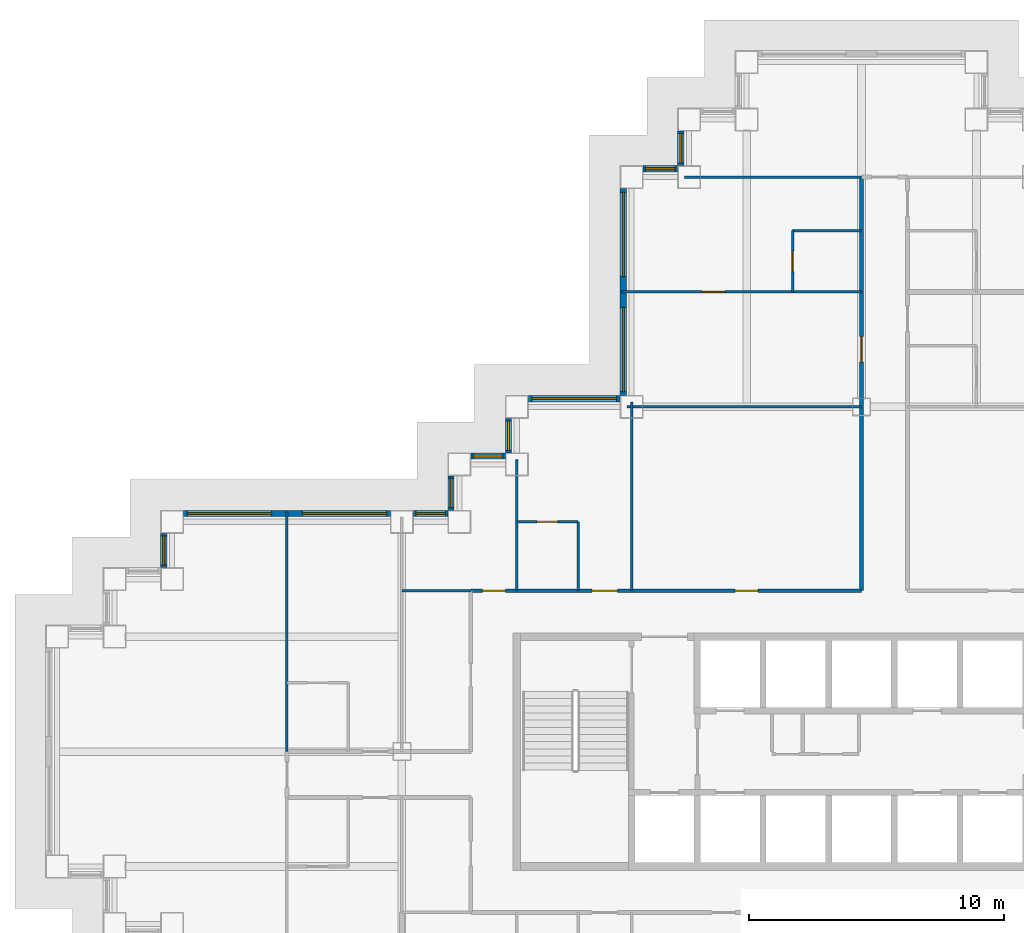
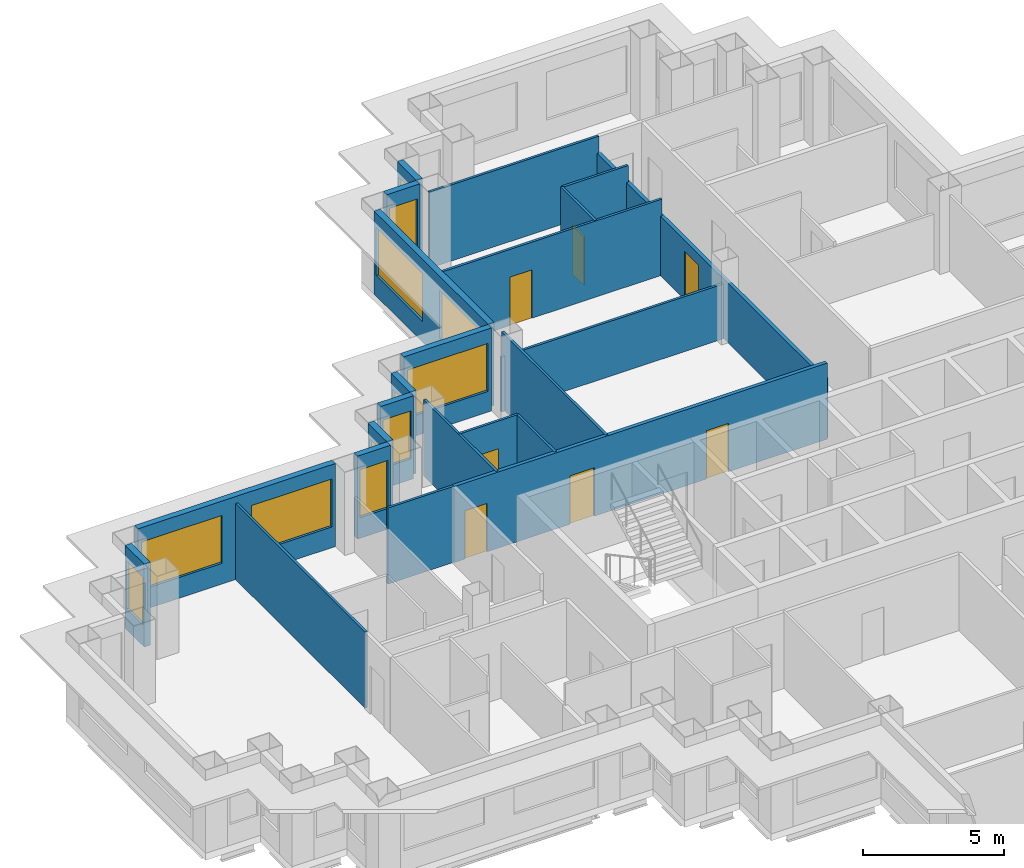
# One storey, part 7 of 14: 23 walls, 12 windows, 7 doors, 19 openings.
"""IFC4 building model written with IfcOpenShell, lengths in metres."""

from ifc_helpers import new_model, si_unit, direction, frame, frame_2d, origin, place, context, subcontext, project, spatial, rectangle, extrude, material, layer, layer_set, type_object, element, fill, save


model = new_model("IFC4")

# Units and contexts
model_context = context("Model", 3, precision=1e-05, world=origin(), true_north=direction((0.0, 1.0)))
body_context = subcontext(model_context, "Body", "Model", "MODEL_VIEW")
ifc_project = project(units=[si_unit("LENGTHUNIT", "METRE"), si_unit("AREAUNIT", "SQUARE_METRE"), si_unit("VOLUMEUNIT", "CUBIC_METRE"), si_unit("PLANEANGLEUNIT", "RADIAN"), si_unit("MASSUNIT", "GRAM", prefix="KILO")], contexts=[model_context])

# Site, building, storey
site_placement = place(None, origin())
site = spatial("IfcSite", under=ifc_project, at=site_placement, CompositionType="ELEMENT")
building_placement = place(site_placement, origin())
building = spatial("IfcBuilding", under=site, at=building_placement, Name="Caravel Reach Hotel and Residences", CompositionType="ELEMENT")
storey_placement = place(building_placement, frame((0.0, 0.0, 118.800048828125)))
storey = spatial("IfcBuildingStorey", under=building, at=storey_placement, Name="L29", CompositionType="ELEMENT", Elevation=118.800048828125)

# Wall, opening, door
ifc_material_1 = material(Name="Gypsum board on steel stud", Category="steel")
ifc_layer_1 = layer(ifc_material_1, 0.10009765625)
ifc_layer_set_1 = layer_set([ifc_layer_1], Name="Bathroom pod wall 100 mm")
wall_type_1 = type_object("IfcWallType", Name="Bathroom pod wall 100 mm", PredefinedType="PARTITIONING", material=ifc_layer_set_1)
wall_1_placement = place(storey_placement, frame((18.0, 36.0, 0.0), z_axis=(0.0, 0.0, 1.0), x_axis=(1.0, 0.0, 0.0)))
wall_1 = element("IfcWall", 1, at=wall_1_placement, inside=storey, type_object=wall_type_1, Name="L29 wall w075", PredefinedType="PARTITIONING", context=body_context, shape_type="SweptSolid", body=[
    extrude(rectangle(XDim=2.39990234375, YDim=0.10009765625, at=frame_2d((1.199951171875, 0.0))), origin(), (0.0, 0.0, 1.0), 3.300048828125),
])
opening_1_placement = place(wall_1_placement, frame((0.800048828125, 0.0, 0.0)))
opening_1 = element("IfcOpeningElement", 2, at=opening_1_placement, cuts=wall_1, Name="Opening D29-040", PredefinedType="OPENING", context=body_context, shape_type="SweptSolid", body=[
    extrude(rectangle(XDim=0.800048828125, YDim=2.10009765625, at=frame_2d((0.39990234375, 1.050048828125))), frame((0.0, 0.06005859375, 0.0), z_axis=(0.0, -1.0, 0.0), x_axis=(1.0, 0.0, 0.0)), (0.0, 0.0, 1.0), 0.1201171875),
])
ifc_material_2 = material(Name="Timber and steel door leaf", Category="steel")
door_type_1 = type_object("IfcDoorType", Name="Bathroom door 800 x 2100", OperationType="SINGLE_SWING_LEFT", PredefinedType="DOOR", material=ifc_material_2)
door_1_placement = place(opening_1_placement, origin())
door_1 = element("IfcDoor", 3, at=door_1_placement, inside=storey, type_object=door_type_1, Name="door D29-040", OperationType="SINGLE_SWING_LEFT", OverallHeight=2.10009765625, OverallWidth=0.800048828125, PredefinedType="DOOR", context=body_context, shape_type="SweptSolid", body=[
    extrude(rectangle(XDim=0.800048828125, YDim=2.10009765625, at=frame_2d((0.39990234375, 1.050048828125))), frame((0.0, 0.02490234375, 0.0), z_axis=(0.0, -1.0, 0.0), x_axis=(1.0, 0.0, 0.0)), (0.0, 0.0, 1.0), 0.050048828125),
])
fill(opening_1, door_1)

# Walls
for number, where, z_axis, x_axis, name in (
    (4, (28.800048828125, 47.39990234375, 0.0), (0.0, 0.0, 1.0), (1.0, 0.0, 0.0), "L29 wall w079"),
    (5, (20.39990234375, 33.300048828125, 0.0), (0.0, 0.0, 1.0), (0.0, 1.0, 0.0), "L29 wall w083"),
):
    element("IfcWall", number, at=place(storey_placement, frame(where, z_axis=z_axis, x_axis=x_axis)), inside=storey, type_object=wall_type_1, Name=name, PredefinedType="PARTITIONING", context=body_context, shape_type="SweptSolid", body=[
        extrude(rectangle(XDim=2.699951171875, YDim=0.10009765625, at=frame_2d((1.35009765625, 0.0))), origin(), (0.0, 0.0, 1.0), 3.300048828125),
    ])

# Wall, opening, door
wall_2_placement = place(storey_placement, frame((28.800048828125, 45.0, 0.0), z_axis=(0.0, 0.0, 1.0), x_axis=(0.0, 1.0, 0.0)))
wall_2 = element("IfcWall", 6, at=wall_2_placement, inside=storey, type_object=wall_type_1, Name="L29 wall w086", PredefinedType="PARTITIONING", context=body_context, shape_type="SweptSolid", body=[
    extrude(rectangle(XDim=2.39990234375, YDim=0.10009765625, at=frame_2d((1.199951171875, 0.0))), origin(), (0.0, 0.0, 1.0), 3.300048828125),
])
opening_2_placement = place(wall_2_placement, frame((0.800048828125, 0.0, 0.0)))
opening_2 = element("IfcOpeningElement", 7, at=opening_2_placement, cuts=wall_2, Name="Opening D29-026", PredefinedType="OPENING", context=body_context, shape_type="SweptSolid", body=[
    extrude(rectangle(XDim=0.800048828125, YDim=2.10009765625, at=frame_2d((0.39990234375, 1.050048828125))), frame((0.0, 0.06005859375, 0.0), z_axis=(0.0, -1.0, 0.0), x_axis=(1.0, 0.0, 0.0)), (0.0, 0.0, 1.0), 0.1201171875),
])
door_2_placement = place(opening_2_placement, origin())
door_2 = element("IfcDoor", 8, at=door_2_placement, inside=storey, type_object=door_type_1, Name="door D29-026", OperationType="SINGLE_SWING_LEFT", OverallHeight=2.10009765625, OverallWidth=0.800048828125, PredefinedType="DOOR", context=body_context, shape_type="SweptSolid", body=[
    extrude(rectangle(XDim=0.800048828125, YDim=2.10009765625, at=frame_2d((0.39990234375, 1.050048828125))), frame((0.0, 0.02490234375, 0.0), z_axis=(0.0, -1.0, 0.0), x_axis=(1.0, 0.0, 0.0)), (0.0, 0.0, 1.0), 0.050048828125),
])
fill(opening_2, door_2)

# Wall, openings, doors
ifc_material_3 = material(Name="Gypsum board on steel stud, fire-rated", Category="steel")
ifc_layer_2 = layer(ifc_material_3, 0.14990234375)
ifc_layer_set_2 = layer_set([ifc_layer_2], Name="Corridor wall 150 mm EI 60")
wall_type_2 = type_object("IfcWallType", Name="Corridor wall 150 mm EI 60", PredefinedType="PARTITIONING", material=ifc_layer_set_2)
wall_3_placement = place(storey_placement, frame((16.199951171875, 33.300048828125, 0.0), z_axis=(0.0, 0.0, 1.0), x_axis=(1.0, 0.0, 0.0)))
wall_3 = element("IfcWall", 9, at=wall_3_placement, inside=storey, type_object=wall_type_2, Name="L29 wall w018", PredefinedType="PARTITIONING", context=body_context, shape_type="SweptSolid", body=[
    extrude(rectangle(XDim=15.300048828125, YDim=0.14990234375, at=frame_2d((7.64990234375, 0.0))), origin(), (0.0, 0.0, 1.0), 3.300048828125),
])
opening_3_placement = place(wall_3_placement, frame((4.75, 0.0, 0.0)))
opening_3 = element("IfcOpeningElement", 10, at=opening_3_placement, cuts=wall_3, Name="Opening D29-039", PredefinedType="OPENING", context=body_context, shape_type="SweptSolid", body=[
    extrude(rectangle(XDim=1.0, YDim=2.10009765625, at=frame_2d((0.5, 1.050048828125))), frame((0.0, 0.0849609375, 0.0), z_axis=(0.0, -1.0, 0.0), x_axis=(1.0, 0.0, 0.0)), (0.0, 0.0, 1.0), 0.169921875),
])
opening_4_placement = place(wall_3_placement, frame((0.449951171875, 0.0, 0.0)))
opening_4 = element("IfcOpeningElement", 11, at=opening_4_placement, cuts=wall_3, Name="Opening D29-041", PredefinedType="OPENING", context=body_context, shape_type="SweptSolid", body=[
    extrude(rectangle(XDim=0.89990234375, YDim=2.10009765625, at=frame_2d((0.449951171875, 1.050048828125))), frame((0.0, 0.0849609375, 0.0), z_axis=(0.0, -1.0, 0.0), x_axis=(1.0, 0.0, 0.0)), (0.0, 0.0, 1.0), 0.169921875),
])
opening_5_placement = place(wall_3_placement, frame((10.35009765625, 0.0, 0.0)))
opening_5 = element("IfcOpeningElement", 12, at=opening_5_placement, cuts=wall_3, Name="Opening D29-050", PredefinedType="OPENING", context=body_context, shape_type="SweptSolid", body=[
    extrude(rectangle(XDim=0.89990234375, YDim=2.10009765625, at=frame_2d((0.449951171875, 1.050048828125))), frame((0.0, 0.0849609375, 0.0), z_axis=(0.0, -1.0, 0.0), x_axis=(1.0, 0.0, 0.0)), (0.0, 0.0, 1.0), 0.169921875),
])
ifc_material_4 = material(Name="Timber and steel door leaf", Category="steel")
door_type_2 = type_object("IfcDoorType", Name="Door 900 x 2100 timber", OperationType="SINGLE_SWING_LEFT", PredefinedType="DOOR", material=ifc_material_4)
door_3_placement = place(opening_4_placement, origin())
door_3 = element("IfcDoor", 13, at=door_3_placement, inside=storey, type_object=door_type_2, Name="door D29-041", OperationType="SINGLE_SWING_LEFT", OverallHeight=2.10009765625, OverallWidth=0.89990234375, PredefinedType="DOOR", context=body_context, shape_type="SweptSolid", body=[
    extrude(rectangle(XDim=0.89990234375, YDim=2.10009765625, at=frame_2d((0.449951171875, 1.050048828125))), frame((0.0, 0.02490234375, 0.0), z_axis=(0.0, -1.0, 0.0), x_axis=(1.0, 0.0, 0.0)), (0.0, 0.0, 1.0), 0.050048828125),
])
fill(opening_4, door_3)
door_4_placement = place(opening_5_placement, origin())
door_4 = element("IfcDoor", 14, at=door_4_placement, inside=storey, type_object=door_type_2, Name="door D29-050", OperationType="SINGLE_SWING_LEFT", OverallHeight=2.10009765625, OverallWidth=0.89990234375, PredefinedType="DOOR", context=body_context, shape_type="SweptSolid", body=[
    extrude(rectangle(XDim=0.89990234375, YDim=2.10009765625, at=frame_2d((0.449951171875, 1.050048828125))), frame((0.0, 0.02490234375, 0.0), z_axis=(0.0, -1.0, 0.0), x_axis=(1.0, 0.0, 0.0)), (0.0, 0.0, 1.0), 0.050048828125),
])
fill(opening_5, door_4)
ifc_material_5 = material(Name="Steel fire door leaf", Category="steel")
door_type_3 = type_object("IfcDoorType", Name="Guest room door 1000 x 2100 EI 30", OperationType="SINGLE_SWING_LEFT", PredefinedType="DOOR", material=ifc_material_5)
door_5_placement = place(opening_3_placement, origin())
door_5 = element("IfcDoor", 15, at=door_5_placement, inside=storey, type_object=door_type_3, Name="door D29-039", OperationType="SINGLE_SWING_RIGHT", OverallHeight=2.10009765625, OverallWidth=1.0, PredefinedType="DOOR", context=body_context, shape_type="SweptSolid", body=[
    extrude(rectangle(XDim=1.0, YDim=2.10009765625, at=frame_2d((0.5, 1.050048828125))), frame((0.0, 0.02490234375, 0.0), z_axis=(0.0, -1.0, 0.0), x_axis=(1.0, 0.0, 0.0)), (0.0, 0.0, 1.0), 0.050048828125),
])
fill(opening_3, door_5)

# Wall, opening, door
wall_4_placement = place(storey_placement, frame((31.5, 33.300048828125, 0.0), z_axis=(0.0, 0.0, 1.0), x_axis=(0.0, 1.0, 0.0)))
wall_4 = element("IfcWall", 16, at=wall_4_placement, inside=storey, type_object=wall_type_2, Name="L29 wall w026", PredefinedType="PARTITIONING", context=body_context, shape_type="SweptSolid", body=[
    extrude(rectangle(XDim=16.199951171875, YDim=0.14990234375, at=frame_2d((8.10009765625, 0.0))), origin(), (0.0, 0.0, 1.0), 2.579833984375),
])
opening_6_placement = place(wall_4_placement, frame((8.949951171875, 0.0, 0.0)))
opening_6 = element("IfcOpeningElement", 17, at=opening_6_placement, cuts=wall_4, Name="Opening D29-024", PredefinedType="OPENING", context=body_context, shape_type="SweptSolid", body=[
    extrude(rectangle(XDim=1.0, YDim=2.10009765625, at=frame_2d((0.5, 1.050048828125))), frame((0.0, 0.0849609375, 0.0), z_axis=(0.0, -1.0, 0.0), x_axis=(1.0, 0.0, 0.0)), (0.0, 0.0, 1.0), 0.169921875),
])
door_6_placement = place(opening_6_placement, origin())
door_6 = element("IfcDoor", 18, at=door_6_placement, inside=storey, type_object=door_type_3, Name="door D29-024", OperationType="SINGLE_SWING_LEFT", OverallHeight=2.10009765625, OverallWidth=1.0, PredefinedType="DOOR", context=body_context, shape_type="SweptSolid", body=[
    extrude(rectangle(XDim=1.0, YDim=2.10009765625, at=frame_2d((0.5, 1.050048828125))), frame((0.0, 0.02490234375, 0.0), z_axis=(0.0, -1.0, 0.0), x_axis=(1.0, 0.0, 0.0)), (0.0, 0.0, 1.0), 0.050048828125),
])
fill(opening_6, door_6)

# Wall, opening, window
ifc_material_6 = material(Name="Insulated rainscreen wall, aluminium cladding", Category="aluminium")
ifc_layer_3 = layer(ifc_material_6, 0.25)
ifc_layer_set_3 = layer_set([ifc_layer_3], Name="EW1 Tower rainscreen wall")
wall_type_3 = type_object("IfcWallType", Name="EW1 Tower rainscreen wall", PredefinedType="SOLIDWALL", material=ifc_layer_set_3)
wall_5_placement = place(storey_placement, frame((24.425048828125, 51.300048828125, 0.0), z_axis=(0.0, 0.0, 1.0), x_axis=(0.0, -1.0, 0.0)))
wall_5 = element("IfcWall", 19, at=wall_5_placement, inside=storey, type_object=wall_type_3, Name="External wall L29 W38.1", PredefinedType="SOLIDWALL", context=body_context, shape_type="SweptSolid", body=[
    extrude(rectangle(XDim=1.35009765625, YDim=0.25, at=frame_2d((0.675048828125, 0.0))), origin(), (0.0, 0.0, 1.0), 3.599853515625),
])
opening_7_placement = place(wall_5_placement, frame((0.10009765625, 0.0, 0.89990234375)))
opening_7 = element("IfcOpeningElement", 20, at=opening_7_placement, cuts=wall_5, Name="Opening WN8", PredefinedType="OPENING", context=body_context, shape_type="SweptSolid", body=[
    extrude(rectangle(XDim=1.14990234375, YDim=2.080078125, at=frame_2d((0.574951171875, 1.0400390625))), frame((0.0, 0.135009765625, 0.0), z_axis=(0.0, -1.0, 0.0), x_axis=(1.0, 0.0, 0.0)), (0.0, 0.0, 1.0), 0.27001953125),
])
ifc_material_7 = material(Name="Dark low-e glazing in black aluminium frame", Category="aluminium")
window_type_1 = type_object("IfcWindowType", Name="Hotel suite corner window 1150 x 2080", PartitioningType="SINGLE_PANEL", PredefinedType="WINDOW", material=ifc_material_7)
window_1_placement = place(opening_7_placement, origin())
window_1 = element("IfcWindow", 21, at=window_1_placement, inside=storey, type_object=window_type_1, Name="Window L29 W38.1.1", OverallHeight=2.080078125, OverallWidth=1.14990234375, PartitioningType="SINGLE_PANEL", PredefinedType="WINDOW", context=body_context, shape_type="SweptSolid", body=[
    extrude(rectangle(XDim=1.14990234375, YDim=2.080078125, at=frame_2d((0.574951171875, 1.0400390625))), frame((0.0, 0.030029296875, 0.0), z_axis=(0.0, -1.0, 0.0), x_axis=(1.0, 0.0, 0.0)), (0.0, 0.0, 1.0), 0.06005859375),
])
fill(opening_7, window_1)

wall_6_placement = place(storey_placement, frame((24.300048828125, 49.824951171875, 0.0), z_axis=(0.0, 0.0, 1.0), x_axis=(-1.0, 0.0, 0.0)))
wall_6 = element("IfcWall", 22, at=wall_6_placement, inside=storey, type_object=wall_type_3, Name="External wall L29 N39.1", PredefinedType="SOLIDWALL", context=body_context, shape_type="SweptSolid", body=[
    extrude(rectangle(XDim=1.35009765625, YDim=0.25, at=frame_2d((0.675048828125, 0.0))), origin(), (0.0, 0.0, 1.0), 3.599853515625),
])
opening_8_placement = place(wall_6_placement, frame((0.10009765625, 0.0, 0.89990234375)))
opening_8 = element("IfcOpeningElement", 23, at=opening_8_placement, cuts=wall_6, Name="Opening WN8", PredefinedType="OPENING", context=body_context, shape_type="SweptSolid", body=[
    extrude(rectangle(XDim=1.14990234375, YDim=2.080078125, at=frame_2d((0.574951171875, 1.0400390625))), frame((0.0, 0.135009765625, 0.0), z_axis=(0.0, -1.0, 0.0), x_axis=(1.0, 0.0, 0.0)), (0.0, 0.0, 1.0), 0.27001953125),
])
window_2_placement = place(opening_8_placement, origin())
window_2 = element("IfcWindow", 24, at=window_2_placement, inside=storey, type_object=window_type_1, Name="Window L29 N39.1.1", OverallHeight=2.080078125, OverallWidth=1.14990234375, PartitioningType="SINGLE_PANEL", PredefinedType="WINDOW", context=body_context, shape_type="SweptSolid", body=[
    extrude(rectangle(XDim=1.14990234375, YDim=2.080078125, at=frame_2d((0.574951171875, 1.0400390625))), frame((0.0, 0.030029296875, 0.0), z_axis=(0.0, -1.0, 0.0), x_axis=(1.0, 0.0, 0.0)), (0.0, 0.0, 1.0), 0.06005859375),
])
fill(opening_8, window_2)

# Wall, openings, windows
wall_7_placement = place(storey_placement, frame((22.175048828125, 49.050048828125, 0.0), z_axis=(0.0, 0.0, 1.0), x_axis=(0.0, -1.0, 0.0)))
wall_7 = element("IfcWall", 25, at=wall_7_placement, inside=storey, type_object=wall_type_3, Name="External wall L29 W40.1", PredefinedType="SOLIDWALL", context=body_context, shape_type="SweptSolid", body=[
    extrude(rectangle(XDim=8.10009765625, YDim=0.25, at=frame_2d((4.050048828125, 0.0))), origin(), (0.0, 0.0, 1.0), 3.599853515625),
])
opening_9_placement = place(wall_7_placement, frame((0.14990234375, 0.0, 0.89990234375)))
opening_9 = element("IfcOpeningElement", 26, at=opening_9_placement, cuts=wall_7, Name="Opening WN4", PredefinedType="OPENING", context=body_context, shape_type="SweptSolid", body=[
    extrude(rectangle(XDim=3.300048828125, YDim=2.080078125, at=frame_2d((1.64990234375, 1.0400390625))), frame((0.0, 0.135009765625, 0.0), z_axis=(0.0, -1.0, 0.0), x_axis=(1.0, 0.0, 0.0)), (0.0, 0.0, 1.0), 0.27001953125),
])
opening_10_placement = place(wall_7_placement, frame((4.64990234375, 0.0, 0.89990234375)))
opening_10 = element("IfcOpeningElement", 27, at=opening_10_placement, cuts=wall_7, Name="Opening WN4", PredefinedType="OPENING", context=body_context, shape_type="SweptSolid", body=[
    extrude(rectangle(XDim=3.300048828125, YDim=2.080078125, at=frame_2d((1.64990234375, 1.0400390625))), frame((0.0, 0.135009765625, 0.0), z_axis=(0.0, -1.0, 0.0), x_axis=(1.0, 0.0, 0.0)), (0.0, 0.0, 1.0), 0.27001953125),
])
ifc_material_8 = material(Name="Dark low-e glazing in black aluminium frame", Category="aluminium")
window_type_2 = type_object("IfcWindowType", Name="Hotel guest room window 3300 x 2080", PartitioningType="SINGLE_PANEL", PredefinedType="WINDOW", material=ifc_material_8)
window_3_placement = place(opening_9_placement, origin())
window_3 = element("IfcWindow", 28, at=window_3_placement, inside=storey, type_object=window_type_2, Name="Window L29 W40.1.1", OverallHeight=2.080078125, OverallWidth=3.300048828125, PartitioningType="SINGLE_PANEL", PredefinedType="WINDOW", context=body_context, shape_type="SweptSolid", body=[
    extrude(rectangle(XDim=3.300048828125, YDim=2.080078125, at=frame_2d((1.64990234375, 1.0400390625))), frame((0.0, 0.030029296875, 0.0), z_axis=(0.0, -1.0, 0.0), x_axis=(1.0, 0.0, 0.0)), (0.0, 0.0, 1.0), 0.06005859375),
])
fill(opening_9, window_3)
window_4_placement = place(opening_10_placement, origin())
window_4 = element("IfcWindow", 29, at=window_4_placement, inside=storey, type_object=window_type_2, Name="Window L29 W40.1.2", OverallHeight=2.080078125, OverallWidth=3.300048828125, PartitioningType="SINGLE_PANEL", PredefinedType="WINDOW", context=body_context, shape_type="SweptSolid", body=[
    extrude(rectangle(XDim=3.300048828125, YDim=2.080078125, at=frame_2d((1.64990234375, 1.0400390625))), frame((0.0, 0.030029296875, 0.0), z_axis=(0.0, -1.0, 0.0), x_axis=(1.0, 0.0, 0.0)), (0.0, 0.0, 1.0), 0.06005859375),
])
fill(opening_10, window_4)

# Wall, opening, window
wall_8_placement = place(storey_placement, frame((22.050048828125, 40.824951171875, 0.0), z_axis=(0.0, 0.0, 1.0), x_axis=(-1.0, 0.0, 0.0)))
wall_8 = element("IfcWall", 30, at=wall_8_placement, inside=storey, type_object=wall_type_3, Name="External wall L29 N41.1", PredefinedType="SOLIDWALL", context=body_context, shape_type="SweptSolid", body=[
    extrude(rectangle(XDim=3.60009765625, YDim=0.25, at=frame_2d((1.800048828125, 0.0))), origin(), (0.0, 0.0, 1.0), 3.599853515625),
])
opening_11_placement = place(wall_8_placement, frame((0.14990234375, 0.0, 0.89990234375)))
opening_11 = element("IfcOpeningElement", 31, at=opening_11_placement, cuts=wall_8, Name="Opening WN4", PredefinedType="OPENING", context=body_context, shape_type="SweptSolid", body=[
    extrude(rectangle(XDim=3.300048828125, YDim=2.080078125, at=frame_2d((1.64990234375, 1.0400390625))), frame((0.0, 0.135009765625, 0.0), z_axis=(0.0, -1.0, 0.0), x_axis=(1.0, 0.0, 0.0)), (0.0, 0.0, 1.0), 0.27001953125),
])
window_5_placement = place(opening_11_placement, origin())
window_5 = element("IfcWindow", 32, at=window_5_placement, inside=storey, type_object=window_type_2, Name="Window L29 N41.1.1", OverallHeight=2.080078125, OverallWidth=3.300048828125, PartitioningType="SINGLE_PANEL", PredefinedType="WINDOW", context=body_context, shape_type="SweptSolid", body=[
    extrude(rectangle(XDim=3.300048828125, YDim=2.080078125, at=frame_2d((1.64990234375, 1.0400390625))), frame((0.0, 0.030029296875, 0.0), z_axis=(0.0, -1.0, 0.0), x_axis=(1.0, 0.0, 0.0)), (0.0, 0.0, 1.0), 0.06005859375),
])
fill(opening_11, window_5)

wall_9_placement = place(storey_placement, frame((17.675048828125, 40.050048828125, 0.0), z_axis=(0.0, 0.0, 1.0), x_axis=(0.0, -1.0, 0.0)))
wall_9 = element("IfcWall", 33, at=wall_9_placement, inside=storey, type_object=wall_type_3, Name="External wall L29 W42.1", PredefinedType="SOLIDWALL", context=body_context, shape_type="SweptSolid", body=[
    extrude(rectangle(XDim=1.35009765625, YDim=0.25, at=frame_2d((0.675048828125, 0.0))), origin(), (0.0, 0.0, 1.0), 3.599853515625),
])
opening_12_placement = place(wall_9_placement, frame((0.10009765625, 0.0, 0.89990234375)))
opening_12 = element("IfcOpeningElement", 34, at=opening_12_placement, cuts=wall_9, Name="Opening WN8", PredefinedType="OPENING", context=body_context, shape_type="SweptSolid", body=[
    extrude(rectangle(XDim=1.14990234375, YDim=2.080078125, at=frame_2d((0.574951171875, 1.0400390625))), frame((0.0, 0.135009765625, 0.0), z_axis=(0.0, -1.0, 0.0), x_axis=(1.0, 0.0, 0.0)), (0.0, 0.0, 1.0), 0.27001953125),
])
window_6_placement = place(opening_12_placement, origin())
window_6 = element("IfcWindow", 35, at=window_6_placement, inside=storey, type_object=window_type_1, Name="Window L29 W42.1.1", OverallHeight=2.080078125, OverallWidth=1.14990234375, PartitioningType="SINGLE_PANEL", PredefinedType="WINDOW", context=body_context, shape_type="SweptSolid", body=[
    extrude(rectangle(XDim=1.14990234375, YDim=2.080078125, at=frame_2d((0.574951171875, 1.0400390625))), frame((0.0, 0.030029296875, 0.0), z_axis=(0.0, -1.0, 0.0), x_axis=(1.0, 0.0, 0.0)), (0.0, 0.0, 1.0), 0.06005859375),
])
fill(opening_12, window_6)

wall_10_placement = place(storey_placement, frame((17.550048828125, 38.574951171875, 0.0), z_axis=(0.0, 0.0, 1.0), x_axis=(-1.0, 0.0, 0.0)))
wall_10 = element("IfcWall", 36, at=wall_10_placement, inside=storey, type_object=wall_type_3, Name="External wall L29 N43.1", PredefinedType="SOLIDWALL", context=body_context, shape_type="SweptSolid", body=[
    extrude(rectangle(XDim=1.35009765625, YDim=0.25, at=frame_2d((0.675048828125, 0.0))), origin(), (0.0, 0.0, 1.0), 3.599853515625),
])
opening_13_placement = place(wall_10_placement, frame((0.10009765625, 0.0, 0.89990234375)))
opening_13 = element("IfcOpeningElement", 37, at=opening_13_placement, cuts=wall_10, Name="Opening WN8", PredefinedType="OPENING", context=body_context, shape_type="SweptSolid", body=[
    extrude(rectangle(XDim=1.14990234375, YDim=2.080078125, at=frame_2d((0.574951171875, 1.0400390625))), frame((0.0, 0.135009765625, 0.0), z_axis=(0.0, -1.0, 0.0), x_axis=(1.0, 0.0, 0.0)), (0.0, 0.0, 1.0), 0.27001953125),
])
window_7_placement = place(opening_13_placement, origin())
window_7 = element("IfcWindow", 38, at=window_7_placement, inside=storey, type_object=window_type_1, Name="Window L29 N43.1.1", OverallHeight=2.080078125, OverallWidth=1.14990234375, PartitioningType="SINGLE_PANEL", PredefinedType="WINDOW", context=body_context, shape_type="SweptSolid", body=[
    extrude(rectangle(XDim=1.14990234375, YDim=2.080078125, at=frame_2d((0.574951171875, 1.0400390625))), frame((0.0, 0.030029296875, 0.0), z_axis=(0.0, -1.0, 0.0), x_axis=(1.0, 0.0, 0.0)), (0.0, 0.0, 1.0), 0.06005859375),
])
fill(opening_13, window_7)

wall_11_placement = place(storey_placement, frame((15.425048828125, 37.800048828125, 0.0), z_axis=(0.0, 0.0, 1.0), x_axis=(0.0, -1.0, 0.0)))
wall_11 = element("IfcWall", 39, at=wall_11_placement, inside=storey, type_object=wall_type_3, Name="External wall L29 W44.1", PredefinedType="SOLIDWALL", context=body_context, shape_type="SweptSolid", body=[
    extrude(rectangle(XDim=1.35009765625, YDim=0.25, at=frame_2d((0.675048828125, 0.0))), origin(), (0.0, 0.0, 1.0), 3.599853515625),
])
opening_14_placement = place(wall_11_placement, frame((0.10009765625, 0.0, 0.89990234375)))
opening_14 = element("IfcOpeningElement", 40, at=opening_14_placement, cuts=wall_11, Name="Opening WN8", PredefinedType="OPENING", context=body_context, shape_type="SweptSolid", body=[
    extrude(rectangle(XDim=1.14990234375, YDim=2.080078125, at=frame_2d((0.574951171875, 1.0400390625))), frame((0.0, 0.135009765625, 0.0), z_axis=(0.0, -1.0, 0.0), x_axis=(1.0, 0.0, 0.0)), (0.0, 0.0, 1.0), 0.27001953125),
])
window_8_placement = place(opening_14_placement, origin())
window_8 = element("IfcWindow", 41, at=window_8_placement, inside=storey, type_object=window_type_1, Name="Window L29 W44.1.1", OverallHeight=2.080078125, OverallWidth=1.14990234375, PartitioningType="SINGLE_PANEL", PredefinedType="WINDOW", context=body_context, shape_type="SweptSolid", body=[
    extrude(rectangle(XDim=1.14990234375, YDim=2.080078125, at=frame_2d((0.574951171875, 1.0400390625))), frame((0.0, 0.030029296875, 0.0), z_axis=(0.0, -1.0, 0.0), x_axis=(1.0, 0.0, 0.0)), (0.0, 0.0, 1.0), 0.06005859375),
])
fill(opening_14, window_8)

wall_12_placement = place(storey_placement, frame((15.300048828125, 36.324951171875, 0.0), z_axis=(0.0, 0.0, 1.0), x_axis=(-1.0, 0.0, 0.0)))
wall_12 = element("IfcWall", 42, at=wall_12_placement, inside=storey, type_object=wall_type_3, Name="External wall L29 N45.1", PredefinedType="SOLIDWALL", context=body_context, shape_type="SweptSolid", body=[
    extrude(rectangle(XDim=1.35009765625, YDim=0.25, at=frame_2d((0.675048828125, 0.0))), origin(), (0.0, 0.0, 1.0), 3.599853515625),
])
opening_15_placement = place(wall_12_placement, frame((0.10009765625, 0.0, 0.89990234375)))
opening_15 = element("IfcOpeningElement", 43, at=opening_15_placement, cuts=wall_12, Name="Opening WN8", PredefinedType="OPENING", context=body_context, shape_type="SweptSolid", body=[
    extrude(rectangle(XDim=1.14990234375, YDim=2.080078125, at=frame_2d((0.574951171875, 1.0400390625))), frame((0.0, 0.135009765625, 0.0), z_axis=(0.0, -1.0, 0.0), x_axis=(1.0, 0.0, 0.0)), (0.0, 0.0, 1.0), 0.27001953125),
])
window_9_placement = place(opening_15_placement, origin())
window_9 = element("IfcWindow", 44, at=window_9_placement, inside=storey, type_object=window_type_1, Name="Window L29 N45.1.1", OverallHeight=2.080078125, OverallWidth=1.14990234375, PartitioningType="SINGLE_PANEL", PredefinedType="WINDOW", context=body_context, shape_type="SweptSolid", body=[
    extrude(rectangle(XDim=1.14990234375, YDim=2.080078125, at=frame_2d((0.574951171875, 1.0400390625))), frame((0.0, 0.030029296875, 0.0), z_axis=(0.0, -1.0, 0.0), x_axis=(1.0, 0.0, 0.0)), (0.0, 0.0, 1.0), 0.06005859375),
])
fill(opening_15, window_9)

# Wall, openings, windows
wall_13_placement = place(storey_placement, frame((13.050048828125, 36.324951171875, 0.0), z_axis=(0.0, 0.0, 1.0), x_axis=(-1.0, 0.0, 0.0)))
wall_13 = element("IfcWall", 45, at=wall_13_placement, inside=storey, type_object=wall_type_3, Name="External wall L29 N45.2", PredefinedType="SOLIDWALL", context=body_context, shape_type="SweptSolid", body=[
    extrude(rectangle(XDim=8.10009765625, YDim=0.25, at=frame_2d((4.050048828125, 0.0))), origin(), (0.0, 0.0, 1.0), 3.599853515625),
])
opening_16_placement = place(wall_13_placement, frame((0.14990234375, 0.0, 0.89990234375)))
opening_16 = element("IfcOpeningElement", 46, at=opening_16_placement, cuts=wall_13, Name="Opening WN4", PredefinedType="OPENING", context=body_context, shape_type="SweptSolid", body=[
    extrude(rectangle(XDim=3.300048828125, YDim=2.080078125, at=frame_2d((1.64990234375, 1.0400390625))), frame((0.0, 0.135009765625, 0.0), z_axis=(0.0, -1.0, 0.0), x_axis=(1.0, 0.0, 0.0)), (0.0, 0.0, 1.0), 0.27001953125),
])
opening_17_placement = place(wall_13_placement, frame((4.64990234375, 0.0, 0.89990234375)))
opening_17 = element("IfcOpeningElement", 47, at=opening_17_placement, cuts=wall_13, Name="Opening WN4", PredefinedType="OPENING", context=body_context, shape_type="SweptSolid", body=[
    extrude(rectangle(XDim=3.300048828125, YDim=2.080078125, at=frame_2d((1.64990234375, 1.0400390625))), frame((0.0, 0.135009765625, 0.0), z_axis=(0.0, -1.0, 0.0), x_axis=(1.0, 0.0, 0.0)), (0.0, 0.0, 1.0), 0.27001953125),
])
window_10_placement = place(opening_16_placement, origin())
window_10 = element("IfcWindow", 48, at=window_10_placement, inside=storey, type_object=window_type_2, Name="Window L29 N45.2.1", OverallHeight=2.080078125, OverallWidth=3.300048828125, PartitioningType="SINGLE_PANEL", PredefinedType="WINDOW", context=body_context, shape_type="SweptSolid", body=[
    extrude(rectangle(XDim=3.300048828125, YDim=2.080078125, at=frame_2d((1.64990234375, 1.0400390625))), frame((0.0, 0.030029296875, 0.0), z_axis=(0.0, -1.0, 0.0), x_axis=(1.0, 0.0, 0.0)), (0.0, 0.0, 1.0), 0.06005859375),
])
fill(opening_16, window_10)
window_11_placement = place(opening_17_placement, origin())
window_11 = element("IfcWindow", 49, at=window_11_placement, inside=storey, type_object=window_type_2, Name="Window L29 N45.2.2", OverallHeight=2.080078125, OverallWidth=3.300048828125, PartitioningType="SINGLE_PANEL", PredefinedType="WINDOW", context=body_context, shape_type="SweptSolid", body=[
    extrude(rectangle(XDim=3.300048828125, YDim=2.080078125, at=frame_2d((1.64990234375, 1.0400390625))), frame((0.0, 0.030029296875, 0.0), z_axis=(0.0, -1.0, 0.0), x_axis=(1.0, 0.0, 0.0)), (0.0, 0.0, 1.0), 0.06005859375),
])
fill(opening_17, window_11)

# Wall, opening, window
wall_14_placement = place(storey_placement, frame((4.175048828125, 35.550048828125, 0.0), z_axis=(0.0, 0.0, 1.0), x_axis=(0.0, -1.0, 0.0)))
wall_14 = element("IfcWall", 50, at=wall_14_placement, inside=storey, type_object=wall_type_3, Name="External wall L29 W46.1", PredefinedType="SOLIDWALL", context=body_context, shape_type="SweptSolid", body=[
    extrude(rectangle(XDim=1.35009765625, YDim=0.25, at=frame_2d((0.675048828125, 0.0))), origin(), (0.0, 0.0, 1.0), 3.599853515625),
])
opening_18_placement = place(wall_14_placement, frame((0.10009765625, 0.0, 0.89990234375)))
opening_18 = element("IfcOpeningElement", 51, at=opening_18_placement, cuts=wall_14, Name="Opening WN8", PredefinedType="OPENING", context=body_context, shape_type="SweptSolid", body=[
    extrude(rectangle(XDim=1.14990234375, YDim=2.080078125, at=frame_2d((0.574951171875, 1.0400390625))), frame((0.0, 0.135009765625, 0.0), z_axis=(0.0, -1.0, 0.0), x_axis=(1.0, 0.0, 0.0)), (0.0, 0.0, 1.0), 0.27001953125),
])
window_12_placement = place(opening_18_placement, origin())
window_12 = element("IfcWindow", 52, at=window_12_placement, inside=storey, type_object=window_type_1, Name="Window L29 W46.1.1", OverallHeight=2.080078125, OverallWidth=1.14990234375, PartitioningType="SINGLE_PANEL", PredefinedType="WINDOW", context=body_context, shape_type="SweptSolid", body=[
    extrude(rectangle(XDim=1.14990234375, YDim=2.080078125, at=frame_2d((0.574951171875, 1.0400390625))), frame((0.0, 0.030029296875, 0.0), z_axis=(0.0, -1.0, 0.0), x_axis=(1.0, 0.0, 0.0)), (0.0, 0.0, 1.0), 0.06005859375),
])
fill(opening_18, window_12)

# Walls
ifc_material_9 = material(Name="Gypsum board on steel stud", Category="steel")
ifc_layer_4 = layer(ifc_material_9, 0.10009765625)
ifc_layer_set_4 = layer_set([ifc_layer_4], Name="Partition 100 mm")
wall_type_4 = type_object("IfcWallType", Name="Partition 100 mm", PredefinedType="PARTITIONING", material=ifc_layer_set_4)
wall_15_placement = place(storey_placement, frame((13.5, 33.300048828125, 0.0), z_axis=(0.0, 0.0, 1.0), x_axis=(1.0, 0.0, 0.0)))
element("IfcWall", 53, at=wall_15_placement, inside=storey, type_object=wall_type_4, Name="L29 wall w041", PredefinedType="PARTITIONING", context=body_context, shape_type="SweptSolid", body=[
    extrude(rectangle(XDim=2.699951171875, YDim=0.10009765625, at=frame_2d((1.35009765625, 0.0))), origin(), (0.0, 0.0, 1.0), 3.300048828125),
])
wall_16_placement = place(storey_placement, frame((22.31005859375, 40.5, 0.0), z_axis=(0.0, 0.0, 1.0), x_axis=(1.0, 0.0, 0.0)))
element("IfcWall", 54, at=wall_16_placement, inside=storey, type_object=wall_type_4, Name="L29 wall w043", PredefinedType="PARTITIONING", context=body_context, shape_type="SweptSolid", body=[
    extrude(rectangle(XDim=9.18994140625, YDim=0.10009765625, at=frame_2d((4.594970703125, 0.0))), origin(), (0.0, 0.0, 1.0), 2.3798828125),
])

# Wall, opening, door
wall_17_placement = place(storey_placement, frame((22.110107421875, 45.0, 0.0), z_axis=(0.0, 0.0, 1.0), x_axis=(1.0, 0.0, 0.0)))
wall_17 = element("IfcWall", 55, at=wall_17_placement, inside=storey, type_object=wall_type_4, Name="L29 wall w044", PredefinedType="PARTITIONING", context=body_context, shape_type="SweptSolid", body=[
    extrude(rectangle(XDim=9.389892578125, YDim=0.10009765625, at=frame_2d((4.69482421875, 0.0))), origin(), (0.0, 0.0, 1.0), 3.300048828125),
])
opening_19_placement = place(wall_17_placement, frame((3.14990234375, 0.0, 0.0)))
opening_19 = element("IfcOpeningElement", 56, at=opening_19_placement, cuts=wall_17, Name="Opening D29-025", PredefinedType="OPENING", context=body_context, shape_type="SweptSolid", body=[
    extrude(rectangle(XDim=0.89990234375, YDim=2.10009765625, at=frame_2d((0.449951171875, 1.050048828125))), frame((0.0, 0.06005859375, 0.0), z_axis=(0.0, -1.0, 0.0), x_axis=(1.0, 0.0, 0.0)), (0.0, 0.0, 1.0), 0.1201171875),
])
door_7_placement = place(opening_19_placement, origin())
door_7 = element("IfcDoor", 57, at=door_7_placement, inside=storey, type_object=door_type_2, Name="door D29-025", OperationType="SINGLE_SWING_LEFT", OverallHeight=2.10009765625, OverallWidth=0.89990234375, PredefinedType="DOOR", context=body_context, shape_type="SweptSolid", body=[
    extrude(rectangle(XDim=0.89990234375, YDim=2.10009765625, at=frame_2d((0.449951171875, 1.050048828125))), frame((0.0, 0.02490234375, 0.0), z_axis=(0.0, -1.0, 0.0), x_axis=(1.0, 0.0, 0.0)), (0.0, 0.0, 1.0), 0.050048828125),
])
fill(opening_19, door_7)

# Walls
wall_18_placement = place(storey_placement, frame((24.56005859375, 49.5, 0.0), z_axis=(0.0, 0.0, 1.0), x_axis=(1.0, 0.0, 0.0)))
element("IfcWall", 58, at=wall_18_placement, inside=storey, type_object=wall_type_4, Name="L29 wall w046", PredefinedType="PARTITIONING", context=body_context, shape_type="SweptSolid", body=[
    extrude(rectangle(XDim=6.93994140625, YDim=0.10009765625, at=frame_2d((3.469970703125, 0.0))), origin(), (0.0, 0.0, 1.0), 3.300048828125),
])
wall_19_placement = place(storey_placement, frame((18.0, 33.300048828125, 0.0), z_axis=(0.0, 0.0, 1.0), x_axis=(0.0, 1.0, 0.0)))
element("IfcWall", 59, at=wall_19_placement, inside=storey, type_object=wall_type_4, Name="L29 wall w052", PredefinedType="PARTITIONING", context=body_context, shape_type="SweptSolid", body=[
    extrude(rectangle(XDim=5.139892578125, YDim=0.10009765625, at=frame_2d((2.56982421875, 0.0))), origin(), (0.0, 0.0, 1.0), 3.300048828125),
])
wall_20_placement = place(storey_placement, frame((22.5, 33.300048828125, 0.0), z_axis=(0.0, 0.0, 1.0), x_axis=(0.0, 1.0, 0.0)))
element("IfcWall", 60, at=wall_20_placement, inside=storey, type_object=wall_type_4, Name="L29 wall w053", PredefinedType="PARTITIONING", context=body_context, shape_type="SweptSolid", body=[
    extrude(rectangle(XDim=7.389892578125, YDim=0.10009765625, at=frame_2d((3.69482421875, 0.0))), origin(), (0.0, 0.0, 1.0), 3.300048828125),
])
wall_21_placement = place(storey_placement, frame((9.0, 27.0, 0.0), z_axis=(0.0, 0.0, 1.0), x_axis=(0.0, 1.0, 0.0)))
element("IfcWall", 61, at=wall_21_placement, inside=storey, type_object=wall_type_4, Name="L29 wall w063", PredefinedType="PARTITIONING", context=body_context, shape_type="SweptSolid", body=[
    extrude(rectangle(XDim=9.389892578125, YDim=0.10009765625, at=frame_2d((4.69482421875, 0.0))), origin(), (0.0, 0.0, 1.0), 3.300048828125),
])

save(model, "model.ifc")
